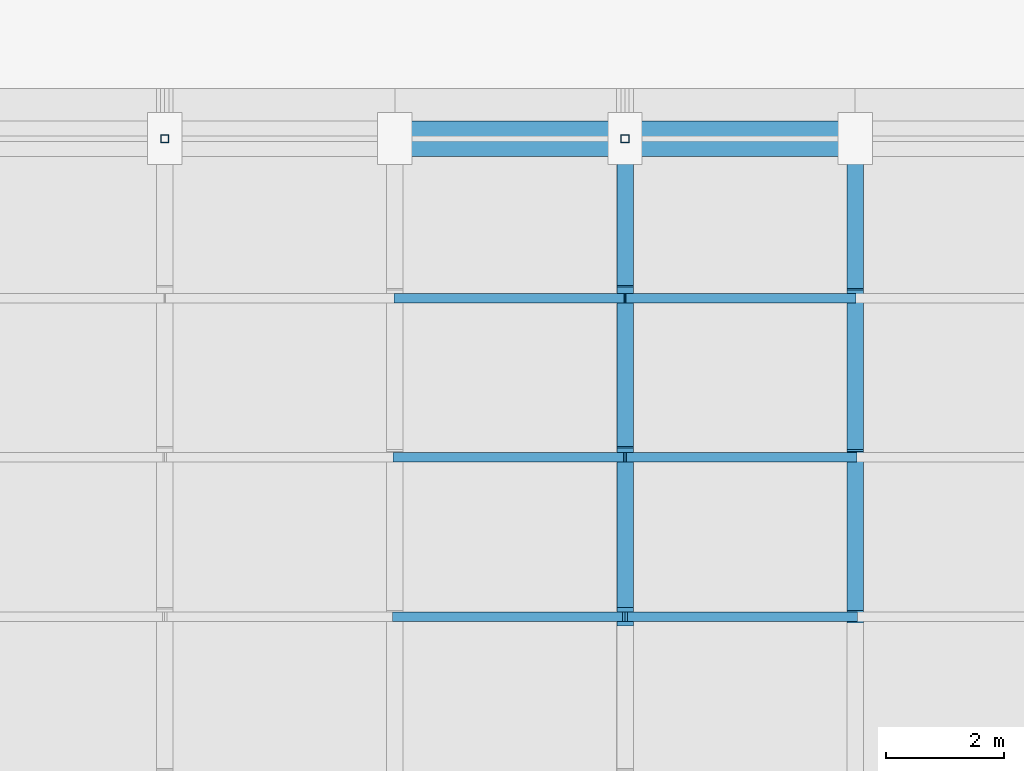
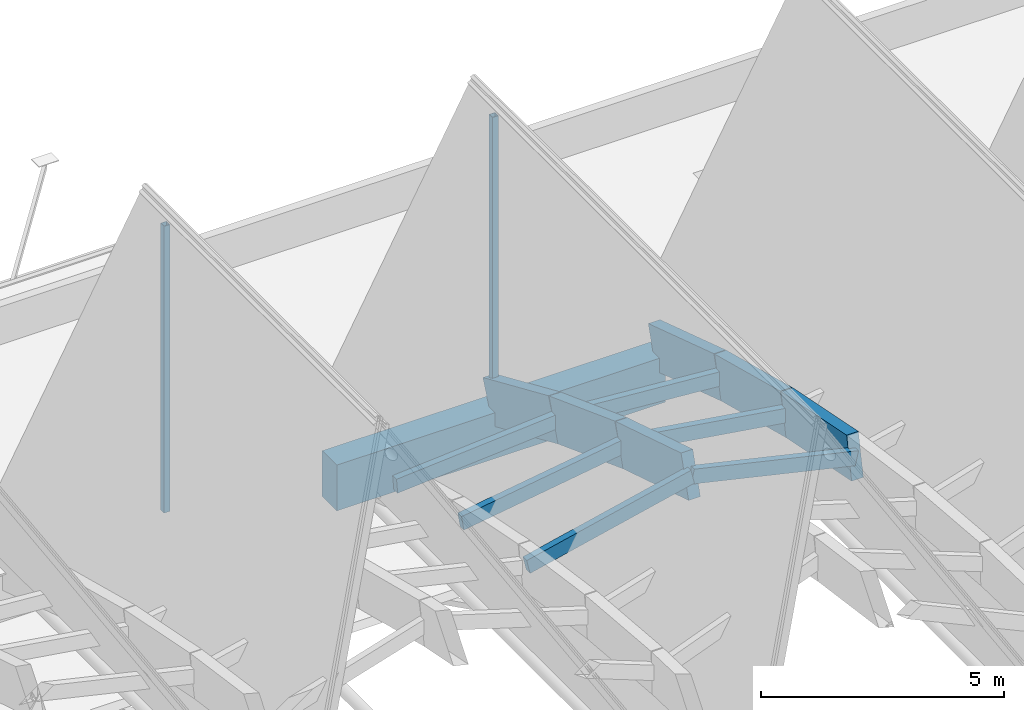
# One storey, part 19 of 39: 14 members, 1 beam.
"""IFC4 building model written with IfcOpenShell, lengths in metres."""

import ifcopenshell
import ifcopenshell.guid

model = None  # the IFC model being written
_history = None  # IfcOwnerHistory: only IFC2X3 demands one
_inside = {}  # id of a spatial element -> (the spatial element, [elements in it])
_under = {}  # id of a project, library or spatial element -> (it, [spatial elements below it])
_declared = {}  # id of a project -> (the project, [libraries it declares])
_typed = {}  # id of a type object -> (the type object, [elements of that type])
_made_of = {}  # id of a material, layer set ... -> (it, [elements and type objects made of it])


def new_model(schema):
    """Start an empty IFC model of exactly this schema.

    Asked for "IFC4X3", IfcOpenShell would pick the latest addendum, in which some entities
    have other attributes; the version numbers below select the first issue.
    IFC2X3 requires an IfcOwnerHistory on every rooted entity: one is made here for all.
    """
    global model, _history
    if schema == "IFC4X3":
        model = ifcopenshell.file(schema_version=(4, 3, 0, 0))
    else:
        model = ifcopenshell.file(schema=schema)
    _inside.clear()
    _under.clear()
    _declared.clear()
    _typed.clear()
    _made_of.clear()
    _history = None
    if model.schema == "IFC2X3":
        org = make("IfcOrganization", Name="unknown")
        user = make(
            "IfcPersonAndOrganization",
            ThePerson=make("IfcPerson", FamilyName="unknown"),
            TheOrganization=org,
        )
        app = make(
            "IfcApplication",
            ApplicationDeveloper=org,
            Version="unknown",
            ApplicationFullName="unknown",
            ApplicationIdentifier="unknown",
        )
        _history = make(
            "IfcOwnerHistory",
            OwningUser=user,
            OwningApplication=app,
            ChangeAction="ADDED",
            CreationDate=0,
        )
    return model


def make(cls, **values):
    """One entity of the class cls with the attributes given. An attribute that is None is left unset."""
    return model.create_entity(
        cls, **{name: value for name, value in values.items() if value is not None}
    )


def rooted(cls, **values):
    """An entity with a GlobalId (a new one), such as an element, a storey or a relation."""
    return make(cls, GlobalId=ifcopenshell.guid.new(), OwnerHistory=_history, **values)


def si_unit(unit_type, name, prefix=None):
    """IfcSIUnit, for example si_unit("LENGTHUNIT", "METRE", prefix="MILLI")."""
    return make("IfcSIUnit", UnitType=unit_type, Prefix=prefix, Name=name)


def assignment(units):
    """IfcUnitAssignment: the units of a project."""
    return None if units is None else make("IfcUnitAssignment", Units=units)


def point(xyz):
    """IfcCartesianPoint."""
    return None if xyz is None else make("IfcCartesianPoint", Coordinates=xyz)


def direction(xyz):
    """IfcDirection."""
    return None if xyz is None else make("IfcDirection", DirectionRatios=xyz)


def frame(location, z_axis=None, x_axis=None):
    """IfcAxis2Placement3D, a coordinate frame: its origin and axes. An axis left out is left unset."""
    return make(
        "IfcAxis2Placement3D",
        Location=point(location),
        Axis=direction(z_axis),
        RefDirection=direction(x_axis),
    )


def frame_2d(location, x_axis=None):
    """IfcAxis2Placement2D, a coordinate frame in the plane: its origin and x axis."""
    return make(
        "IfcAxis2Placement2D", Location=point(location), RefDirection=direction(x_axis)
    )


def origin():
    """The frame at (0, 0, 0) with its axes left unset."""
    return frame((0.0, 0.0, 0.0))


def origin_2d():
    """The frame at (0, 0) in the plane with its x axis left unset."""
    return frame_2d((0.0, 0.0))


def place(relative_to, where):
    """IfcLocalPlacement: puts the frame where relative to a parent placement (None: the world)."""
    return make(
        "IfcLocalPlacement", PlacementRelTo=relative_to, RelativePlacement=where
    )


def context(
    kind, dimensions, precision=None, world=None, true_north=None, identifier=None
):
    """IfcGeometricRepresentationContext, for example the 3D "Model" context."""
    return make(
        "IfcGeometricRepresentationContext",
        ContextIdentifier=identifier,
        ContextType=kind,
        CoordinateSpaceDimension=dimensions,
        Precision=precision,
        WorldCoordinateSystem=world,
        TrueNorth=true_north,
    )


def subcontext(parent, identifier, kind, view, scale=None):
    """IfcGeometricRepresentationSubContext, for example "Body" below "Model"."""
    return make(
        "IfcGeometricRepresentationSubContext",
        ContextIdentifier=identifier,
        ContextType=kind,
        ParentContext=parent,
        TargetScale=scale,
        TargetView=view,
    )


def project(units=None, contexts=None):
    """IfcProject with its units and contexts."""
    return rooted(
        "IfcProject",
        Name="project",
        RepresentationContexts=contexts,
        UnitsInContext=assignment(units),
    )


def spatial(cls, under=None, at=None, **own):
    """A site, building, storey or space (cls), placed at a placement, below another one or the project."""
    s = rooted(cls, ObjectPlacement=at, **own)
    if under is not None:
        _under.setdefault(under.id(), (under, []))[1].append(s)
    return s


def profile(cls, at=None, kind="AREA", **sizes):
    """A parametric profile (cls). Its sizes go by their IFC names, for example OverallWidth=200.0."""
    return make(cls, ProfileType=kind, Position=at, **sizes)


def rectangle(**sizes):
    """IfcRectangleProfileDef."""
    return profile("IfcRectangleProfileDef", **sizes)


def hollow_rectangle(**sizes):
    """IfcRectangleHollowProfileDef."""
    return profile("IfcRectangleHollowProfileDef", **sizes)


def extrude(swept, where, along, depth):
    """IfcExtrudedAreaSolid: the profile swept, set in the frame where, extruded along a direction by depth."""
    return make(
        "IfcExtrudedAreaSolid",
        SweptArea=swept,
        Position=where,
        ExtrudedDirection=direction(along),
        Depth=depth,
    )


def shape(context_of_items, identifier, shape_type, items):
    """IfcShapeRepresentation: the items that make up one representation, for example the "Body"."""
    return make(
        "IfcShapeRepresentation",
        ContextOfItems=context_of_items,
        RepresentationIdentifier=identifier,
        RepresentationType=shape_type,
        Items=items,
    )


def material(Name=None, Category=None):
    """IfcMaterial."""
    return make("IfcMaterial", Name=Name, Category=Category)


def material_profile(
    of_material, cross_section, Name=None, Category=None, Priority=None
):
    """IfcMaterialProfile: a cross section and its material."""
    return make(
        "IfcMaterialProfile",
        Name=Name,
        Material=of_material,
        Profile=cross_section,
        Priority=Priority,
        Category=Category,
    )


def profile_set(profiles, Name=None, composite=None):
    """IfcMaterialProfileSet."""
    return make(
        "IfcMaterialProfileSet",
        Name=Name,
        MaterialProfiles=profiles,
        CompositeProfile=composite,
    )


def made_of(thing, what):
    """Note that an element or type object is made of a material, layer set ...; save() writes the relation."""
    if what is not None:
        _made_of.setdefault(what.id(), (what, []))[1].append(thing)
    return thing


def type_object(cls, material=None, **own):
    """A type object (cls), such as IfcWallType, which elements share."""
    return made_of(rooted(cls, **own), material)


def element(
    cls,
    number,
    at=None,
    inside=None,
    cuts=None,
    type_object=None,
    material=None,
    context=None,
    identifier="Body",
    shape_type=None,
    held_by="IfcProductDefinitionShape",
    body=None,
    shapes=None,
    **own,
):
    """One element of the class cls, such as IfcWall. Its Tag is "e" and its number.

    at: its placement. inside: the storey or other place that contains it. cuts: it is an
    opening in that element (IfcRelVoidsElement). A single representation is given by context,
    identifier, shape_type and body (its items); several are given by shapes. held_by: the class
    of the entity that holds the representations. save() writes the other relations.
    """
    e = rooted(cls, Tag="e%d" % number, ObjectPlacement=at, **own)
    if body is not None:
        shapes = [shape(context, identifier, shape_type, body)]
    if shapes is not None:
        e.Representation = make(held_by, Representations=shapes)
    if inside is not None:
        _inside.setdefault(inside.id(), (inside, []))[1].append(e)
    if cuts is not None:
        rooted(
            "IfcRelVoidsElement", RelatingBuildingElement=cuts, RelatedOpeningElement=e
        )
    if type_object is not None:
        _typed.setdefault(type_object.id(), (type_object, []))[1].append(e)
    return made_of(e, material)


def aggregate(whole, parts):
    """IfcRelAggregates: a whole, such as a stair, and the parts it consists of."""
    return rooted("IfcRelAggregates", RelatingObject=whole, RelatedObjects=parts)


def save(model, path):
    """Write the relations noted so far, then the file.

    IfcRelAggregates (storeys below a building ...), IfcRelContainedInSpatialStructure (elements
    in a storey), IfcRelDefinesByType, IfcRelAssociatesMaterial and IfcRelDeclares: one each for
    every whole, place, type object, material and project.
    """
    for whole, parts in _under.values():
        aggregate(whole, parts)
    for where, things in _inside.values():
        rooted(
            "IfcRelContainedInSpatialStructure",
            RelatedElements=things,
            RelatingStructure=where,
        )
    for kind, things in _typed.values():
        rooted("IfcRelDefinesByType", RelatedObjects=things, RelatingType=kind)
    for what, things in _made_of.values():
        rooted("IfcRelAssociatesMaterial", RelatedObjects=things, RelatingMaterial=what)
    for by, libraries in _declared.values():
        rooted("IfcRelDeclares", RelatingContext=by, RelatedDefinitions=libraries)
    model.write(path)


model = new_model("IFC4")

# Units and contexts
model_context = context("Model", 3, precision=1e-05, world=origin(), true_north=direction((0.0, 1.0)))
body_context = subcontext(model_context, "Body", "Model", "MODEL_VIEW")
ifc_project = project(units=[si_unit("LENGTHUNIT", "METRE"), si_unit("AREAUNIT", "SQUARE_METRE"), si_unit("VOLUMEUNIT", "CUBIC_METRE"), si_unit("PLANEANGLEUNIT", "RADIAN"), si_unit("MASSUNIT", "GRAM", prefix="KILO")], contexts=[model_context])

# Site, building, storey
site_placement = place(None, origin())
site = spatial("IfcSite", under=ifc_project, at=site_placement, CompositionType="ELEMENT")
building_placement = place(site_placement, origin())
building = spatial("IfcBuilding", under=site, at=building_placement, Name="Tizgana Railside Sports Hall", CompositionType="ELEMENT")
storey_placement = place(building_placement, frame((0.0, 0.0, 23.699951171875)))
storey = spatial("IfcBuildingStorey", under=building, at=storey_placement, Name="RF", CompositionType="ELEMENT", Elevation=23.699951171875)

# Beam
ifc_material_1 = material(Name="Concrete C40/50", Category="concrete")
ifc_material_profile_1 = material_profile(ifc_material_1, rectangle(XDim=0.60009765625, YDim=1.14990234375, at=origin_2d()), Name="RCB 600x1150")
ifc_profile_set_1 = profile_set([ifc_material_profile_1], Name="Concrete C40/50")
beam_type = type_object("IfcBeamType", Name="Concrete Beam RCB 600x1150", PredefinedType="BEAM", material=ifc_profile_set_1)
beam_placement = place(storey_placement, frame((23.39990234375, 73.199951171875, -8.9189453125), z_axis=(1.0, 0.0, 0.0), x_axis=(0.0, 1.0, 0.0)))
element("IfcBeam", 1, at=beam_placement, inside=storey, type_object=beam_type, Name="RF BEM-1219", PredefinedType="BEAM", context=body_context, shape_type="SweptSolid", body=[
    extrude(rectangle(XDim=0.60009765625, YDim=1.14990234375, at=origin_2d()), origin(), (0.0, 0.0, 1.0), 7.800048828125),
])

# Members
ifc_material_2 = material(Name="Glulam GL32h", Category="wood")
ifc_material_profile_2 = material_profile(ifc_material_2, rectangle(XDim=0.280029296875, YDim=1.050048828125, at=origin_2d()), Name="GL 280x1050")
ifc_profile_set_2 = profile_set([ifc_material_profile_2], Name="Glulam GL32h")
member_type_1 = type_object("IfcMemberType", Name="Glulam Arch Segment GL 280x1050", PredefinedType="USERDEFINED", material=ifc_profile_set_2)
member_1_placement = place(storey_placement, frame((27.300048828125, 65.10009765625, -5.221923828125), z_axis=(0.0, 0.954601237081, -0.297886686786), x_axis=(-1.0, 0.0, 0.0)))
element("IfcMember", 2, at=member_1_placement, inside=storey, type_object=member_type_1, Name="RF V1 Arch Chord MEM-0124", ObjectType="ARCH_SEGMENT", PredefinedType="USERDEFINED", context=body_context, shape_type="SweptSolid", body=[
    extrude(rectangle(XDim=0.280029296875, YDim=1.050048828125, at=origin_2d()), origin(), (0.0, 0.0, 1.0), 2.828369140625),
])
member_2_placement = place(storey_placement, frame((27.300048828125, 67.800048828125, -6.064453125), z_axis=(0.0, 0.936999478025, -0.349330757564), x_axis=(-1.0, 0.0, 0.0)))
element("IfcMember", 3, at=member_2_placement, inside=storey, type_object=member_type_1, Name="RF V1 Arch Chord MEM-0125", ObjectType="ARCH_SEGMENT", PredefinedType="USERDEFINED", context=body_context, shape_type="SweptSolid", body=[
    extrude(rectangle(XDim=0.280029296875, YDim=1.050048828125, at=origin_2d()), origin(), (0.0, 0.0, 1.0), 2.881591796875),
])
member_3_placement = place(storey_placement, frame((27.300048828125, 70.5, -7.071044921875), z_axis=(0.0, 0.91644048833, -0.400171002635), x_axis=(-1.0, 0.0, 0.0)))
element("IfcMember", 4, at=member_3_placement, inside=storey, type_object=member_type_1, Name="RF V1 Arch Chord MEM-0126", ObjectType="ARCH_SEGMENT", PredefinedType="USERDEFINED", context=body_context, shape_type="SweptSolid", body=[
    extrude(rectangle(XDim=0.280029296875, YDim=1.050048828125, at=origin_2d()), origin(), (0.0, 0.0, 1.0), 2.946044921875),
])
member_4_placement = place(storey_placement, frame((31.199951171875, 65.10009765625, -6.1220703125), z_axis=(0.0, 0.980423512867, -0.196900318481), x_axis=(-1.0, 0.0, 0.0)))
element("IfcMember", 5, at=member_4_placement, inside=storey, type_object=member_type_1, Name="RF V1 Arch Chord MEM-0137", ObjectType="ARCH_SEGMENT", PredefinedType="USERDEFINED", context=body_context, shape_type="SweptSolid", body=[
    extrude(rectangle(XDim=0.280029296875, YDim=1.050048828125, at=origin_2d()), origin(), (0.0, 0.0, 1.0), 2.75390625),
])
member_5_placement = place(storey_placement, frame((31.199951171875, 67.800048828125, -6.664306640625), z_axis=(0.0, 0.96740233444, -0.253244394448), x_axis=(-1.0, 0.0, 0.0)))
element("IfcMember", 6, at=member_5_placement, inside=storey, type_object=member_type_1, Name="RF V1 Arch Chord MEM-0138", ObjectType="ARCH_SEGMENT", PredefinedType="USERDEFINED", context=body_context, shape_type="SweptSolid", body=[
    extrude(rectangle(XDim=0.280029296875, YDim=1.050048828125, at=origin_2d()), origin(), (0.0, 0.0, 1.0), 2.791015625),
])
member_6_placement = place(storey_placement, frame((31.199951171875, 70.5, -7.37109375), z_axis=(0.0, 0.95088673489, -0.309539040203), x_axis=(-1.0, 0.0, 0.0)))
element("IfcMember", 7, at=member_6_placement, inside=storey, type_object=member_type_1, Name="RF V1 Arch Chord MEM-0139", ObjectType="ARCH_SEGMENT", PredefinedType="USERDEFINED", context=body_context, shape_type="SweptSolid", body=[
    extrude(rectangle(XDim=0.280029296875, YDim=1.050048828125, at=origin_2d()), origin(), (0.0, 0.0, 1.0), 2.83935546875),
])
ifc_material_3 = material(Name="Glulam GL28h", Category="wood")
ifc_material_profile_3 = material_profile(ifc_material_3, rectangle(XDim=0.159912109375, YDim=0.360107421875, at=origin_2d()), Name="GL 160x360")
ifc_profile_set_3 = profile_set([ifc_material_profile_3], Name="Glulam GL28h")
member_type_2 = type_object("IfcMemberType", Name="Glulam Roof Purlin GL 160x360", PredefinedType="PURLIN", material=ifc_profile_set_3)
member_7_placement = place(storey_placement, frame((23.39990234375, 65.10009765625, -6.1220703125), z_axis=(0.974385027358, 0.0, 0.224886234483), x_axis=(0.0, 1.0, 0.0)))
element("IfcMember", 8, at=member_7_placement, inside=storey, type_object=member_type_2, Name="RF V1 Purlin MEM-0318", PredefinedType="PURLIN", context=body_context, shape_type="SweptSolid", body=[
    extrude(rectangle(XDim=0.159912109375, YDim=0.360107421875, at=origin_2d()), origin(), (0.0, 0.0, 1.0), 4.002685546875),
])
member_8_placement = place(storey_placement, frame((27.300048828125, 65.10009765625, -5.221923828125), z_axis=(0.974381942365, 0.0, -0.224899600695), x_axis=(0.0, 1.0, 0.0)))
element("IfcMember", 9, at=member_8_placement, inside=storey, type_object=member_type_2, Name="RF V1 Purlin MEM-0319", PredefinedType="PURLIN", context=body_context, shape_type="SweptSolid", body=[
    extrude(rectangle(XDim=0.159912109375, YDim=0.360107421875, at=origin_2d()), origin(), (0.0, 0.0, 1.0), 4.00244140625),
])
member_9_placement = place(storey_placement, frame((23.39990234375, 67.800048828125, -6.664306640625), z_axis=(0.988378134138, 0.0, 0.152015341194), x_axis=(0.0, 1.0, 0.0)))
element("IfcMember", 10, at=member_9_placement, inside=storey, type_object=member_type_2, Name="RF V1 Purlin MEM-0320", PredefinedType="PURLIN", context=body_context, shape_type="SweptSolid", body=[
    extrude(rectangle(XDim=0.159912109375, YDim=0.360107421875, at=origin_2d()), origin(), (0.0, 0.0, 1.0), 3.946044921875),
])
member_10_placement = place(storey_placement, frame((27.300048828125, 67.800048828125, -6.064453125), z_axis=(0.988376704266, 0.0, -0.152024637685), x_axis=(0.0, 1.0, 0.0)))
element("IfcMember", 11, at=member_10_placement, inside=storey, type_object=member_type_2, Name="RF V1 Purlin MEM-0321", PredefinedType="PURLIN", context=body_context, shape_type="SweptSolid", body=[
    extrude(rectangle(XDim=0.159912109375, YDim=0.360107421875, at=origin_2d()), origin(), (0.0, 0.0, 1.0), 3.94580078125),
])
member_11_placement = place(storey_placement, frame((23.39990234375, 70.5, -7.37109375), z_axis=(0.997053751181, 0.0, 0.076706044457), x_axis=(0.0, 1.0, 0.0)))
element("IfcMember", 12, at=member_11_placement, inside=storey, type_object=member_type_2, Name="RF V1 Purlin MEM-0322", PredefinedType="PURLIN", context=body_context, shape_type="SweptSolid", body=[
    extrude(rectangle(XDim=0.159912109375, YDim=0.360107421875, at=origin_2d()), origin(), (0.0, 0.0, 1.0), 3.91162109375),
])
member_12_placement = place(storey_placement, frame((27.300048828125, 70.5, -7.071044921875), z_axis=(0.997053383918, 0.0, -0.076710818132), x_axis=(0.0, 1.0, 0.0)))
element("IfcMember", 13, at=member_12_placement, inside=storey, type_object=member_type_2, Name="RF V1 Purlin MEM-0323", PredefinedType="PURLIN", context=body_context, shape_type="SweptSolid", body=[
    extrude(rectangle(XDim=0.159912109375, YDim=0.360107421875, at=origin_2d()), origin(), (0.0, 0.0, 1.0), 3.911376953125),
])
ifc_material_4 = material(Name="Steel S355J2", Category="steel")
ifc_material_profile_4 = material_profile(ifc_material_4, hollow_rectangle(XDim=0.139892578125, YDim=0.139892578125, WallThickness=0.008056640625, at=origin_2d()), Name="SHS 140x140x8")
ifc_profile_set_4 = profile_set([ifc_material_profile_4], Name="Steel S355J2")
member_type_3 = type_object("IfcMemberType", Name="Steel Brace SHS 140x140x8", PredefinedType="BRACE", material=ifc_profile_set_4)
for number, where, z_axis, x_axis, name in (
    (14, (19.5, 73.199951171875, -8.300048828125), (0.0, 0.0, 1.0), (1.0, 0.0, 0.0), "RF King Post"),
    (15, (27.300048828125, 73.199951171875, -8.300048828125), (0.0, 0.0, 1.0), (1.0, 0.0, 0.0), "RF King Post"),
):
    element("IfcMember", number, at=place(storey_placement, frame(where, z_axis=z_axis, x_axis=x_axis)), inside=storey, type_object=member_type_3, Name=name, PredefinedType="BRACE", context=body_context, shape_type="SweptSolid", body=[
        extrude(hollow_rectangle(XDim=0.139892578125, YDim=0.139892578125, WallThickness=0.008056640625, at=origin_2d()), origin(), (0.0, 0.0, 1.0), 7.2001953125),
    ])

save(model, "model.ifc")
